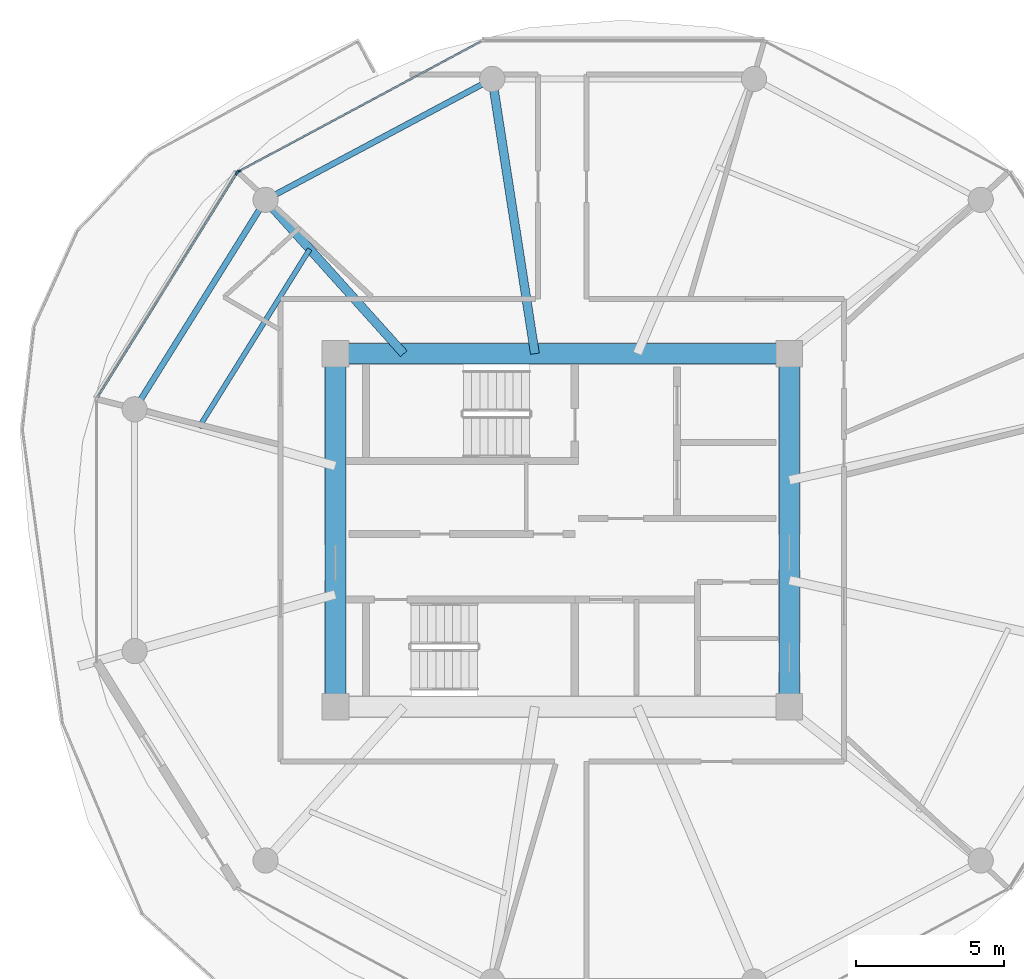
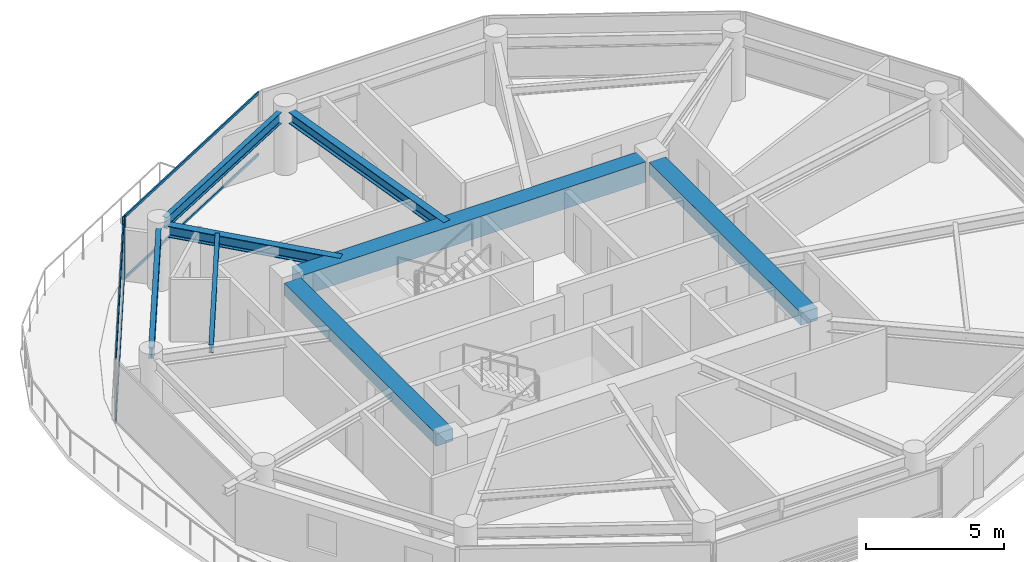
# One storey, part 4 of 23: 8 beams, 6 members, 2 elements without a shape of their own.
"""IFC4 building model written with IfcOpenShell, lengths in metres."""

import ifcopenshell
import ifcopenshell.guid

model = None  # the IFC model being written
_history = None  # IfcOwnerHistory: only IFC2X3 demands one
_inside = {}  # id of a spatial element -> (the spatial element, [elements in it])
_under = {}  # id of a project, library or spatial element -> (it, [spatial elements below it])
_declared = {}  # id of a project -> (the project, [libraries it declares])
_typed = {}  # id of a type object -> (the type object, [elements of that type])
_made_of = {}  # id of a material, layer set ... -> (it, [elements and type objects made of it])


def new_model(schema):
    """Start an empty IFC model of exactly this schema.

    Asked for "IFC4X3", IfcOpenShell would pick the latest addendum, in which some entities
    have other attributes; the version numbers below select the first issue.
    IFC2X3 requires an IfcOwnerHistory on every rooted entity: one is made here for all.
    """
    global model, _history
    if schema == "IFC4X3":
        model = ifcopenshell.file(schema_version=(4, 3, 0, 0))
    else:
        model = ifcopenshell.file(schema=schema)
    _inside.clear()
    _under.clear()
    _declared.clear()
    _typed.clear()
    _made_of.clear()
    _history = None
    if model.schema == "IFC2X3":
        org = make("IfcOrganization", Name="unknown")
        user = make(
            "IfcPersonAndOrganization",
            ThePerson=make("IfcPerson", FamilyName="unknown"),
            TheOrganization=org,
        )
        app = make(
            "IfcApplication",
            ApplicationDeveloper=org,
            Version="unknown",
            ApplicationFullName="unknown",
            ApplicationIdentifier="unknown",
        )
        _history = make(
            "IfcOwnerHistory",
            OwningUser=user,
            OwningApplication=app,
            ChangeAction="ADDED",
            CreationDate=0,
        )
    return model


def make(cls, **values):
    """One entity of the class cls with the attributes given. An attribute that is None is left unset."""
    return model.create_entity(
        cls, **{name: value for name, value in values.items() if value is not None}
    )


def rooted(cls, **values):
    """An entity with a GlobalId (a new one), such as an element, a storey or a relation."""
    return make(cls, GlobalId=ifcopenshell.guid.new(), OwnerHistory=_history, **values)


def si_unit(unit_type, name, prefix=None):
    """IfcSIUnit, for example si_unit("LENGTHUNIT", "METRE", prefix="MILLI")."""
    return make("IfcSIUnit", UnitType=unit_type, Prefix=prefix, Name=name)


def assignment(units):
    """IfcUnitAssignment: the units of a project."""
    return None if units is None else make("IfcUnitAssignment", Units=units)


def point(xyz):
    """IfcCartesianPoint."""
    return None if xyz is None else make("IfcCartesianPoint", Coordinates=xyz)


def direction(xyz):
    """IfcDirection."""
    return None if xyz is None else make("IfcDirection", DirectionRatios=xyz)


def frame(location, z_axis=None, x_axis=None):
    """IfcAxis2Placement3D, a coordinate frame: its origin and axes. An axis left out is left unset."""
    return make(
        "IfcAxis2Placement3D",
        Location=point(location),
        Axis=direction(z_axis),
        RefDirection=direction(x_axis),
    )


def frame_2d(location, x_axis=None):
    """IfcAxis2Placement2D, a coordinate frame in the plane: its origin and x axis."""
    return make(
        "IfcAxis2Placement2D", Location=point(location), RefDirection=direction(x_axis)
    )


def origin():
    """The frame at (0, 0, 0) with its axes left unset."""
    return frame((0.0, 0.0, 0.0))


def origin_2d():
    """The frame at (0, 0) in the plane with its x axis left unset."""
    return frame_2d((0.0, 0.0))


def place(relative_to, where):
    """IfcLocalPlacement: puts the frame where relative to a parent placement (None: the world)."""
    return make(
        "IfcLocalPlacement", PlacementRelTo=relative_to, RelativePlacement=where
    )


def context(
    kind, dimensions, precision=None, world=None, true_north=None, identifier=None
):
    """IfcGeometricRepresentationContext, for example the 3D "Model" context."""
    return make(
        "IfcGeometricRepresentationContext",
        ContextIdentifier=identifier,
        ContextType=kind,
        CoordinateSpaceDimension=dimensions,
        Precision=precision,
        WorldCoordinateSystem=world,
        TrueNorth=true_north,
    )


def subcontext(parent, identifier, kind, view, scale=None):
    """IfcGeometricRepresentationSubContext, for example "Body" below "Model"."""
    return make(
        "IfcGeometricRepresentationSubContext",
        ContextIdentifier=identifier,
        ContextType=kind,
        ParentContext=parent,
        TargetScale=scale,
        TargetView=view,
    )


def project(units=None, contexts=None):
    """IfcProject with its units and contexts."""
    return rooted(
        "IfcProject",
        Name="project",
        RepresentationContexts=contexts,
        UnitsInContext=assignment(units),
    )


def spatial(cls, under=None, at=None, **own):
    """A site, building, storey or space (cls), placed at a placement, below another one or the project."""
    s = rooted(cls, ObjectPlacement=at, **own)
    if under is not None:
        _under.setdefault(under.id(), (under, []))[1].append(s)
    return s


def profile(cls, at=None, kind="AREA", **sizes):
    """A parametric profile (cls). Its sizes go by their IFC names, for example OverallWidth=200.0."""
    return make(cls, ProfileType=kind, Position=at, **sizes)


def rectangle(**sizes):
    """IfcRectangleProfileDef."""
    return profile("IfcRectangleProfileDef", **sizes)


def i_section(**sizes):
    """IfcIShapeProfileDef."""
    return profile("IfcIShapeProfileDef", **sizes)


def extrude(swept, where, along, depth):
    """IfcExtrudedAreaSolid: the profile swept, set in the frame where, extruded along a direction by depth."""
    return make(
        "IfcExtrudedAreaSolid",
        SweptArea=swept,
        Position=where,
        ExtrudedDirection=direction(along),
        Depth=depth,
    )


def shape(context_of_items, identifier, shape_type, items):
    """IfcShapeRepresentation: the items that make up one representation, for example the "Body"."""
    return make(
        "IfcShapeRepresentation",
        ContextOfItems=context_of_items,
        RepresentationIdentifier=identifier,
        RepresentationType=shape_type,
        Items=items,
    )


def source(mapping_origin, context_of_items, identifier, shape_type, items):
    """IfcRepresentationMap: a shape defined once, which mapped items show again and again."""
    return make(
        "IfcRepresentationMap",
        MappingOrigin=mapping_origin,
        MappedRepresentation=shape(context_of_items, identifier, shape_type, items),
    )


def transform(
    local_origin,
    x_axis=None,
    y_axis=None,
    z_axis=None,
    scale=None,
    scale2=None,
    scale3=None,
    uniform=True,
):
    """IfcCartesianTransformationOperator3D, or its non-uniform kind. x_axis, y_axis, z_axis: its Axis1, 2, 3."""
    if uniform:
        return make(
            "IfcCartesianTransformationOperator3D",
            Axis1=direction(x_axis),
            Axis2=direction(y_axis),
            LocalOrigin=point(local_origin),
            Scale=scale,
            Axis3=direction(z_axis),
        )
    return make(
        "IfcCartesianTransformationOperator3DnonUniform",
        Axis1=direction(x_axis),
        Axis2=direction(y_axis),
        LocalOrigin=point(local_origin),
        Scale=scale,
        Axis3=direction(z_axis),
        Scale2=scale2,
        Scale3=scale3,
    )


def mapped(mapping_source, mapping_target):
    """IfcMappedItem: shows the shape of a source again, moved by a transform."""
    return make(
        "IfcMappedItem", MappingSource=mapping_source, MappingTarget=mapping_target
    )


def material(Name=None, Category=None):
    """IfcMaterial."""
    return make("IfcMaterial", Name=Name, Category=Category)


def layer(
    of_material, thickness, ventilated=None, Name=None, Category=None, Priority=None
):
    """IfcMaterialLayer: one layer of a wall or slab, of a material (None: an air gap)."""
    return make(
        "IfcMaterialLayer",
        Material=of_material,
        LayerThickness=thickness,
        IsVentilated=ventilated,
        Name=Name,
        Category=Category,
        Priority=Priority,
    )


def layer_set(layers, Name=None):
    """IfcMaterialLayerSet."""
    return make("IfcMaterialLayerSet", MaterialLayers=layers, LayerSetName=Name)


def material_profile(
    of_material, cross_section, Name=None, Category=None, Priority=None
):
    """IfcMaterialProfile: a cross section and its material."""
    return make(
        "IfcMaterialProfile",
        Name=Name,
        Material=of_material,
        Profile=cross_section,
        Priority=Priority,
        Category=Category,
    )


def profile_set(profiles, Name=None, composite=None):
    """IfcMaterialProfileSet."""
    return make(
        "IfcMaterialProfileSet",
        Name=Name,
        MaterialProfiles=profiles,
        CompositeProfile=composite,
    )


def made_of(thing, what):
    """Note that an element or type object is made of a material, layer set ...; save() writes the relation."""
    if what is not None:
        _made_of.setdefault(what.id(), (what, []))[1].append(thing)
    return thing


def type_object(cls, material=None, **own):
    """A type object (cls), such as IfcWallType, which elements share."""
    return made_of(rooted(cls, **own), material)


def type_shapes(of_type, sources):
    """Give a type object the sources (RepresentationMaps) that its elements show as mapped items."""
    of_type.RepresentationMaps = sources


def element(
    cls,
    number,
    at=None,
    inside=None,
    cuts=None,
    type_object=None,
    material=None,
    context=None,
    identifier="Body",
    shape_type=None,
    held_by="IfcProductDefinitionShape",
    body=None,
    shapes=None,
    **own,
):
    """One element of the class cls, such as IfcWall. Its Tag is "e" and its number.

    at: its placement. inside: the storey or other place that contains it. cuts: it is an
    opening in that element (IfcRelVoidsElement). A single representation is given by context,
    identifier, shape_type and body (its items); several are given by shapes. held_by: the class
    of the entity that holds the representations. save() writes the other relations.
    """
    e = rooted(cls, Tag="e%d" % number, ObjectPlacement=at, **own)
    if body is not None:
        shapes = [shape(context, identifier, shape_type, body)]
    if shapes is not None:
        e.Representation = make(held_by, Representations=shapes)
    if inside is not None:
        _inside.setdefault(inside.id(), (inside, []))[1].append(e)
    if cuts is not None:
        rooted(
            "IfcRelVoidsElement", RelatingBuildingElement=cuts, RelatedOpeningElement=e
        )
    if type_object is not None:
        _typed.setdefault(type_object.id(), (type_object, []))[1].append(e)
    return made_of(e, material)


def aggregate(whole, parts):
    """IfcRelAggregates: a whole, such as a stair, and the parts it consists of."""
    return rooted("IfcRelAggregates", RelatingObject=whole, RelatedObjects=parts)


def save(model, path):
    """Write the relations noted so far, then the file.

    IfcRelAggregates (storeys below a building ...), IfcRelContainedInSpatialStructure (elements
    in a storey), IfcRelDefinesByType, IfcRelAssociatesMaterial and IfcRelDeclares: one each for
    every whole, place, type object, material and project.
    """
    for whole, parts in _under.values():
        aggregate(whole, parts)
    for where, things in _inside.values():
        rooted(
            "IfcRelContainedInSpatialStructure",
            RelatedElements=things,
            RelatingStructure=where,
        )
    for kind, things in _typed.values():
        rooted("IfcRelDefinesByType", RelatedObjects=things, RelatingType=kind)
    for what, things in _made_of.values():
        rooted("IfcRelAssociatesMaterial", RelatedObjects=things, RelatingMaterial=what)
    for by, libraries in _declared.values():
        rooted("IfcRelDeclares", RelatingContext=by, RelatedDefinitions=libraries)
    model.write(path)


model = new_model("IFC4")

# Units and contexts
model_context = context("Model", 3, precision=1e-05, world=origin(), true_north=direction((0.0, 1.0)))
body_context = subcontext(model_context, "Body", "Model", "MODEL_VIEW")
ifc_project = project(units=[si_unit("LENGTHUNIT", "METRE"), si_unit("AREAUNIT", "SQUARE_METRE"), si_unit("VOLUMEUNIT", "CUBIC_METRE"), si_unit("PLANEANGLEUNIT", "RADIAN"), si_unit("MASSUNIT", "GRAM", prefix="KILO")], contexts=[model_context])

# Site, building, storey
site_placement = place(None, origin())
site = spatial("IfcSite", under=ifc_project, at=site_placement, CompositionType="ELEMENT")
building_placement = place(site_placement, origin())
building = spatial("IfcBuilding", under=site, at=building_placement, Name="Norrkilde Senior Care Towers", CompositionType="ELEMENT")
storey_placement = place(building_placement, frame((0.0, 0.0, 93.199951171875)))
storey = spatial("IfcBuildingStorey", under=building, at=storey_placement, Name="L28", CompositionType="ELEMENT", Elevation=93.199951171875)

# Beams
ifc_material_1 = material(Name="Concrete C60/75", Category="concrete")
ifc_material_profile_1 = material_profile(ifc_material_1, rectangle(XDim=0.699951171875, YDim=0.89990234375, at=origin_2d()), Name="RC BM 700x900")
ifc_profile_set_1 = profile_set([ifc_material_profile_1], Name="Concrete C60/75")
beam_type_1 = type_object("IfcBeamType", Name="Core Coupling Girder 700x900", PredefinedType="USERDEFINED", material=ifc_profile_set_1)
shared_shape_1 = source(origin(), body_context, "Body", "SweptSolid", [
    extrude(rectangle(XDim=0.699951171875, YDim=0.89990234375, at=origin_2d()), origin(), (0.0, 0.0, 1.0), 14.43994140625),
])
type_shapes(beam_type_1, [shared_shape_1])
beam_1_placement = place(storey_placement, frame((-35.219970703125, 5.949951171875, 2.340087890625), z_axis=(1.0, 0.0, 0.0), x_axis=(0.0, 1.0, 0.0)))
element("IfcBeam", 1, at=beam_1_placement, inside=storey, type_object=beam_type_1, Name="L28 Core W N Coupling Girder", ObjectType="GIRDER", PredefinedType="USERDEFINED", context=body_context, shape_type="MappedRepresentation", body=[
    mapped(shared_shape_1, transform((0.0, 0.0, 0.0), x_axis=(1.0, 0.0, 0.0), y_axis=(0.0, 1.0, 0.0), z_axis=(0.0, 0.0, 1.0), scale=1.0)),
])
ifc_material_profile_2 = material_profile(ifc_material_1, rectangle(XDim=0.699951171875, YDim=0.550048828125, at=origin_2d()), Name="RC BM 700x550")
ifc_profile_set_2 = profile_set([ifc_material_profile_2], Name="Concrete C60/75")
beam_type_2 = type_object("IfcBeamType", Name="Core Portal Coupling Beam 700x550", PredefinedType="USERDEFINED", material=ifc_profile_set_2)
shared_shape_2 = source(origin(), body_context, "Body", "SweptSolid", [
    extrude(rectangle(XDim=0.699951171875, YDim=0.550048828125, at=origin_2d()), origin(), (0.0, 0.0, 1.0), 11.0400390625),
])
type_shapes(beam_type_2, [shared_shape_2])
for number, where, z_axis, x_axis, name in (
    (2, (-35.64990234375, -5.52001953125, 2.51513671875), (0.0, 1.0, 0.0), (-1.0, 0.0, 0.0), "L28 Core W W Coupling Girder"),
    (3, (-20.35009765625, -5.52001953125, 2.51513671875), (0.0, 1.0, 0.0), (-1.0, 0.0, 0.0), "L28 Core W E Coupling Girder"),
):
    element("IfcBeam", number, at=place(storey_placement, frame(where, z_axis=z_axis, x_axis=x_axis)), inside=storey, type_object=beam_type_2, Name=name, ObjectType="GIRDER", PredefinedType="USERDEFINED", context=body_context, shape_type="MappedRepresentation", body=[
        mapped(shared_shape_2, transform((0.0, 0.0, 0.0), x_axis=(1.0, 0.0, 0.0), y_axis=(0.0, 1.0, 0.0), z_axis=(0.0, 0.0, 1.0), scale=1.0)),
    ])
ifc_material_2 = material(Name="Steel S355", Category="steel")
ifc_material_profile_3 = material_profile(ifc_material_2, i_section(OverallWidth=0.199951171875, OverallDepth=0.5, WebThickness=0.01025390625, FlangeThickness=0.01611328125, FilletRadius=0.02099609375, at=origin_2d()), Name="IPE 500")
ifc_profile_set_3 = profile_set([ifc_material_profile_3], Name="Steel S355")
beam_type_3 = type_object("IfcBeamType", Name="Perimeter Ring Spandrel Z2 IPE500", PredefinedType="SPANDREL", material=ifc_profile_set_3)
shared_shape_3 = source(origin(), body_context, "Body", "SweptSolid", [
    extrude(i_section(OverallWidth=0.199951171875, OverallDepth=0.5, WebThickness=0.01025390625, FlangeThickness=0.01611328125, FilletRadius=0.02099609375, at=origin_2d()), origin(), (0.0, 0.0, 1.0), 7.892333984375),
])
beam_2_placement = place(storey_placement, frame((-30.70263671875, 15.0322265625, 2.5400390625), z_axis=(-0.882350372282, -0.47059305194, 0.0), x_axis=(0.47059305194, -0.882350372282, 0.0)))
element("IfcBeam", 4, at=beam_2_placement, inside=storey, type_object=beam_type_3, Name="L28 Drum W Perimeter Spandrel 04", PredefinedType="SPANDREL", context=body_context, shape_type="MappedRepresentation", body=[
    mapped(shared_shape_3, transform((0.0, 0.0, 0.0), x_axis=(1.0, 0.0, 0.0), y_axis=(0.0, 1.0, 0.0), z_axis=(0.0, 0.0, 1.0), scale=1.0)),
])
ifc_material_profile_4 = material_profile(ifc_material_2, i_section(OverallWidth=0.300048828125, OverallDepth=0.5, WebThickness=0.014404296875, FlangeThickness=0.028076171875, FilletRadius=0.027099609375, at=origin_2d()), Name="HEB 500")
ifc_profile_set_4 = profile_set([ifc_material_profile_4], Name="Steel S355")
beam_type_4 = type_object("IfcBeamType", Name="Radial Floor Beam Z2 HEB500", PredefinedType="BEAM", material=ifc_profile_set_4)
shared_shape_4 = source(origin(), body_context, "Body", "SweptSolid", [
    extrude(i_section(OverallWidth=0.300048828125, OverallDepth=0.5, WebThickness=0.014404296875, FlangeThickness=0.028076171875, FilletRadius=0.027099609375, at=origin_2d()), origin(), (0.0, 0.0, 1.0), 8.989501953125),
])
beam_3_placement = place(storey_placement, frame((-28.924072265625, 5.949951171875, 2.5400390625), z_axis=(-0.153471298636, 0.988153105796, 0.0), x_axis=(-0.988153105796, -0.153471298636, 0.0)))
element("IfcBeam", 5, at=beam_3_placement, inside=storey, type_object=beam_type_4, Name="L28 Drum W Radial Floor Beam 04", PredefinedType="BEAM", context=body_context, shape_type="MappedRepresentation", body=[
    mapped(shared_shape_4, transform((0.0, 0.0, 0.0), x_axis=(1.0, 0.0, 0.0), y_axis=(0.0, 1.0, 0.0), z_axis=(0.0, 0.0, 1.0), scale=1.0)),
])
shared_shape_5 = source(origin(), body_context, "Body", "SweptSolid", [
    extrude(i_section(OverallWidth=0.199951171875, OverallDepth=0.5, WebThickness=0.01025390625, FlangeThickness=0.01611328125, FilletRadius=0.02099609375, at=origin_2d()), origin(), (0.0, 0.0, 1.0), 7.556396484375),
])
type_shapes(beam_type_3, [shared_shape_3, shared_shape_5])
beam_4_placement = place(storey_placement, frame((-38.210205078125, 10.810546875, 2.5400390625), z_axis=(-0.530004748437, -0.847994673706, 0.0), x_axis=(0.847994673706, -0.530004748437, 0.0)))
element("IfcBeam", 6, at=beam_4_placement, inside=storey, type_object=beam_type_3, Name="L28 Drum W Perimeter Spandrel 05", PredefinedType="SPANDREL", context=body_context, shape_type="MappedRepresentation", body=[
    mapped(shared_shape_5, transform((0.0, 0.0, 0.0), x_axis=(1.0, 0.0, 0.0), y_axis=(0.0, 1.0, 0.0), z_axis=(0.0, 0.0, 1.0), scale=1.0)),
])
shared_shape_6 = source(origin(), body_context, "Body", "SweptSolid", [
    extrude(i_section(OverallWidth=0.300048828125, OverallDepth=0.5, WebThickness=0.014404296875, FlangeThickness=0.028076171875, FilletRadius=0.027099609375, at=origin_2d()), origin(), (0.0, 0.0, 1.0), 6.587890625),
])
type_shapes(beam_type_4, [shared_shape_4, shared_shape_6])
beam_5_placement = place(storey_placement, frame((-33.345947265625, 5.949951171875, 2.5400390625), z_axis=(-0.668315438605, 0.743877997068, 0.0), x_axis=(-0.743877997068, -0.668315438605, 0.0)))
element("IfcBeam", 7, at=beam_5_placement, inside=storey, type_object=beam_type_4, Name="L28 Drum W Radial Floor Beam 05", PredefinedType="BEAM", context=body_context, shape_type="MappedRepresentation", body=[
    mapped(shared_shape_6, transform((0.0, 0.0, 0.0), x_axis=(1.0, 0.0, 0.0), y_axis=(0.0, 1.0, 0.0), z_axis=(0.0, 0.0, 1.0), scale=1.0)),
])
ifc_material_profile_5 = material_profile(ifc_material_2, i_section(OverallWidth=0.169921875, OverallDepth=0.360107421875, WebThickness=0.008056640625, FlangeThickness=0.0126953125, FilletRadius=0.01806640625, at=origin_2d()), Name="IPE 360")
ifc_profile_set_5 = profile_set([ifc_material_profile_5], Name="Steel S355")
beam_type_5 = type_object("IfcBeamType", Name="Secondary Floor Joist IPE360", PredefinedType="JOIST", material=ifc_profile_set_5)
shared_shape_7 = source(origin(), body_context, "Body", "SweptSolid", [
    extrude(i_section(OverallWidth=0.169921875, OverallDepth=0.360107421875, WebThickness=0.008056640625, FlangeThickness=0.0126953125, FilletRadius=0.01806640625, at=origin_2d()), origin(), (0.0, 0.0, 1.0), 7.080078125),
])
type_shapes(beam_type_5, [shared_shape_7])
beam_6_placement = place(storey_placement, frame((-36.514892578125, 9.47705078125, 2.610107421875), z_axis=(-0.527961009189, -0.849268610497, 0.0), x_axis=(0.849268610497, -0.527961009189, 0.0)))
element("IfcBeam", 8, at=beam_6_placement, inside=storey, type_object=beam_type_5, Name="L28 Drum W Secondary Floor Joist 2", PredefinedType="JOIST", context=body_context, shape_type="MappedRepresentation", body=[
    mapped(shared_shape_7, transform((0.0, 0.0, 0.0), x_axis=(1.0, 0.0, 0.0), y_axis=(0.0, 1.0, 0.0), z_axis=(0.0, 0.0, 1.0), scale=1.0)),
])

# Curtain wall, member
ifc_material_3 = material(Name="Triple Low-E Insulated Glazing", Category="glass")
ifc_layer = layer(ifc_material_3, 0.195068359375)
ifc_layer_set = layer_set([ifc_layer], Name="Triple Low-E Insulated Glazing")
curtain_wall_type = type_object("IfcCurtainWallType", Name="CW3 Zone 2 Assisted Living Curtain Wall", PredefinedType="NOTDEFINED", material=ifc_layer_set)
curtain_wall_1_placement = place(storey_placement, origin())
curtain_wall_1 = element("IfcCurtainWall", 9, at=curtain_wall_1_placement, inside=storey, type_object=curtain_wall_type, Name="L28 Drum W Curtain Wall 03", PredefinedType="NOTDEFINED")
ifc_material_4 = material(Name="Anodised Aluminium", Category="aluminium")
ifc_material_profile_6 = material_profile(ifc_material_4, rectangle(XDim=0.06494140625, YDim=0.159912109375, at=origin_2d()), Name="ALU MULL 65x160")
ifc_profile_set_6 = profile_set([ifc_material_profile_6], Name="Anodised Aluminium")
member_type_1 = type_object("IfcMemberType", Name="Curtain Wall Mullion Z1-Z2 65x160", PredefinedType="MULLION", material=ifc_profile_set_6)
shared_shape_8 = source(origin(), body_context, "Body", "SweptSolid", [
    extrude(rectangle(XDim=0.06494140625, YDim=0.159912109375, at=origin_2d()), origin(), (0.0, 0.0, 1.0), 2.7900390625),
])
type_shapes(member_type_1, [shared_shape_8])
member_1_placement = place(storey_placement, frame((-38.91796875, 12.0927734375, 0.0), z_axis=(0.0, 0.0, 1.0), x_axis=(-0.472769402511, 0.881186184668, 0.0)))
member_1 = element("IfcMember", 10, at=member_1_placement, type_object=member_type_1, Name="CW-3 mullion 1", PredefinedType="MULLION", context=body_context, shape_type="MappedRepresentation", body=[
    mapped(shared_shape_8, transform((0.0, 0.0, 0.0), x_axis=(1.0, 0.0, 0.0), y_axis=(0.0, 1.0, 0.0), z_axis=(0.0, 0.0, 1.0), scale=1.0)),
])

# Curtain wall, members
curtain_wall_2_placement = place(storey_placement, origin())
curtain_wall_2 = element("IfcCurtainWall", 11, at=curtain_wall_2_placement, inside=storey, type_object=curtain_wall_type, Name="L28 Drum W Curtain Wall 04", PredefinedType="NOTDEFINED")
member_2_placement = place(storey_placement, frame((-38.9638671875, 12.0498046875, 0.0), z_axis=(0.0, 0.0, 1.0), x_axis=(-0.849410171862, 0.527733228002, 0.0)))
member_2 = element("IfcMember", 12, at=member_2_placement, type_object=member_type_1, Name="CW-3 mullion 2", PredefinedType="MULLION", context=body_context, shape_type="MappedRepresentation", body=[
    mapped(shared_shape_8, transform((0.0, 0.0, 0.0), x_axis=(1.0, 0.0, 0.0), y_axis=(0.0, 1.0, 0.0), z_axis=(0.0, 0.0, 1.0), scale=1.0)),
])
ifc_material_profile_7 = material_profile(ifc_material_4, rectangle(XDim=0.06005859375, YDim=0.1201171875, at=origin_2d()), Name="ALU TRAN 60x120")
ifc_profile_set_7 = profile_set([ifc_material_profile_7], Name="Anodised Aluminium")
member_type_2 = type_object("IfcMemberType", Name="Curtain Wall Transom Typical 60x120", PredefinedType="USERDEFINED", material=ifc_profile_set_7)
shared_shape_9 = source(origin(), body_context, "Body", "SweptSolid", [
    extrude(rectangle(XDim=0.06005859375, YDim=0.1201171875, at=origin_2d()), origin(), (0.0, 0.0, 1.0), 8.88427734375),
])
member_3_placement = place(storey_placement, frame((-43.66943359375, 4.475830078125, 0.030029296875), z_axis=(0.527729466743, 0.849412508697, 0.0), x_axis=(-0.849412508697, 0.527729466743, 0.0)))
member_3 = element("IfcMember", 13, at=member_3_placement, type_object=member_type_2, Name="CW-3 transom 1.1", ObjectType="TRANSOM", PredefinedType="USERDEFINED", context=body_context, shape_type="MappedRepresentation", body=[
    mapped(shared_shape_9, transform((0.0, 0.0, 0.0), x_axis=(1.0, 0.0, 0.0), y_axis=(0.0, 1.0, 0.0), z_axis=(0.0, 0.0, 1.0), scale=1.0)),
])
member_4_placement = place(storey_placement, frame((-43.66943359375, 4.475830078125, 2.760009765625), z_axis=(0.527729466743, 0.849412508697, 0.0), x_axis=(-0.849412508697, 0.527729466743, 0.0)))
member_4 = element("IfcMember", 14, at=member_4_placement, type_object=member_type_2, Name="CW-3 transom 1.2", ObjectType="TRANSOM", PredefinedType="USERDEFINED", context=body_context, shape_type="MappedRepresentation", body=[
    mapped(shared_shape_9, transform((0.0, 0.0, 0.0), x_axis=(1.0, 0.0, 0.0), y_axis=(0.0, 1.0, 0.0), z_axis=(0.0, 0.0, 1.0), scale=1.0)),
])
aggregate(curtain_wall_2, [member_2, member_3, member_4])

# Member
shared_shape_10 = source(origin(), body_context, "Body", "SweptSolid", [
    extrude(rectangle(XDim=0.06005859375, YDim=0.1201171875, at=origin_2d()), origin(), (0.0, 0.0, 1.0), 9.220458984375),
])
type_shapes(member_type_2, [shared_shape_9, shared_shape_10])
member_5_placement = place(storey_placement, frame((-38.889404296875, 12.108154296875, 0.030029296875), z_axis=(0.881188517866, 0.472765053681, 0.0), x_axis=(-0.472765053681, 0.881188517866, 0.0)))
member_5 = element("IfcMember", 15, at=member_5_placement, type_object=member_type_2, Name="CW-3 transom 1.1", ObjectType="TRANSOM", PredefinedType="USERDEFINED", context=body_context, shape_type="MappedRepresentation", body=[
    mapped(shared_shape_10, transform((0.0, 0.0, 0.0), x_axis=(1.0, 0.0, 0.0), y_axis=(0.0, 1.0, 0.0), z_axis=(0.0, 0.0, 1.0), scale=1.0)),
])

member_6_placement = place(storey_placement, frame((-38.889404296875, 12.108154296875, 2.760009765625), z_axis=(0.881188517866, 0.472765053681, 0.0), x_axis=(-0.472765053681, 0.881188517866, 0.0)))
member_6 = element("IfcMember", 16, at=member_6_placement, type_object=member_type_2, Name="CW-3 transom 1.2", ObjectType="TRANSOM", PredefinedType="USERDEFINED", context=body_context, shape_type="MappedRepresentation", body=[
    mapped(shared_shape_10, transform((0.0, 0.0, 0.0), x_axis=(1.0, 0.0, 0.0), y_axis=(0.0, 1.0, 0.0), z_axis=(0.0, 0.0, 1.0), scale=1.0)),
])

aggregate(curtain_wall_1, [member_1, member_5, member_6])

save(model, "model.ifc")
